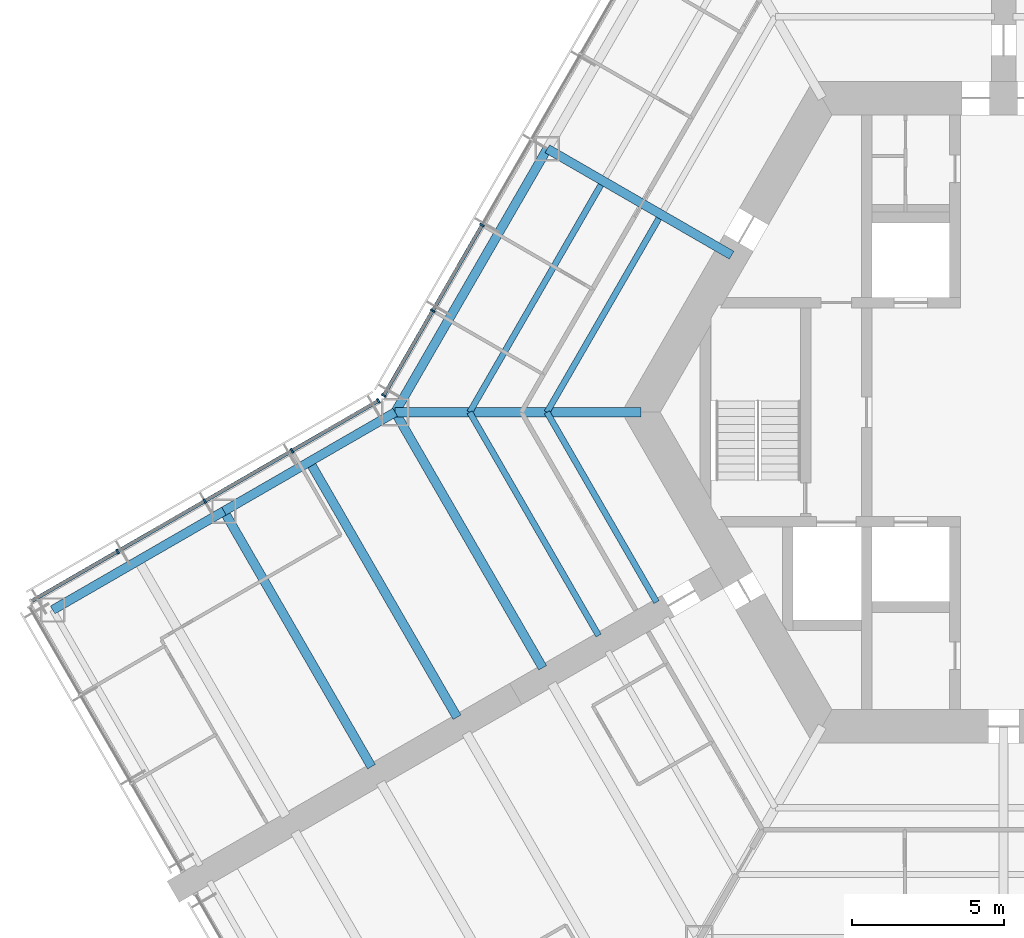
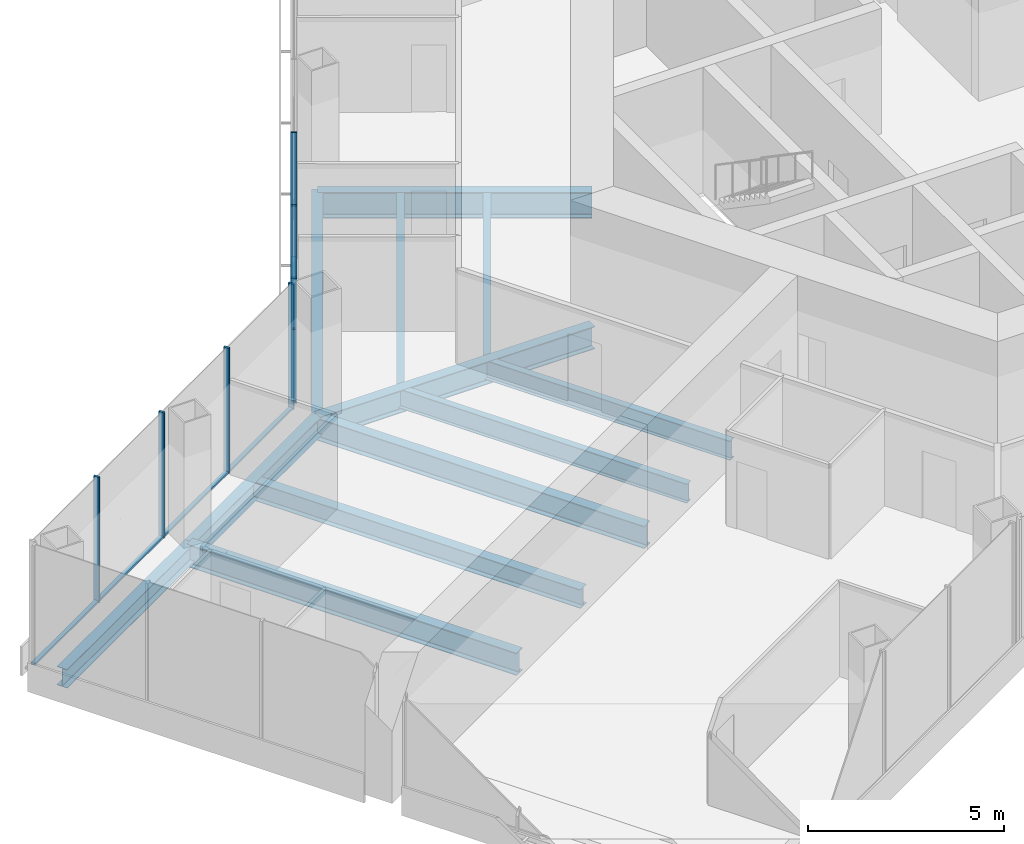
# One storey, part 4 of 19: 13 members, 12 beams, 2 elements without a shape of their own.
"""IFC4 building model written with IfcOpenShell, lengths in metres."""

from ifc_helpers import new_model, si_unit, direction, frame, origin, origin_2d, place, context, subcontext, project, spatial, rectangle, i_section, extrude, material, material_profile, profile_set, type_object, element, aggregate, save


model = new_model("IFC4")

# Units and contexts
model_context = context("Model", 3, precision=1e-05, world=origin(), true_north=direction((0.0, 1.0)))
body_context = subcontext(model_context, "Body", "Model", "MODEL_VIEW")
ifc_project = project(units=[si_unit("LENGTHUNIT", "METRE"), si_unit("AREAUNIT", "SQUARE_METRE"), si_unit("VOLUMEUNIT", "CUBIC_METRE"), si_unit("PLANEANGLEUNIT", "RADIAN"), si_unit("MASSUNIT", "GRAM", prefix="KILO")], contexts=[model_context])

# Site, building, storey
site_placement = place(None, origin())
site = spatial("IfcSite", under=ifc_project, at=site_placement, CompositionType="ELEMENT")
building_placement = place(site_placement, origin())
building = spatial("IfcBuilding", under=site, at=building_placement, Name="Kasaneha Research Tower", CompositionType="ELEMENT")
storey_placement = place(building_placement, frame((0.0, 0.0, 104.10009765625)))
storey = spatial("IfcBuildingStorey", under=building, at=storey_placement, Name="L26", CompositionType="ELEMENT", Elevation=104.10009765625)

# Beams
ifc_material_1 = material(Name="Steel SN490B", Category="steel")
ifc_material_profile_1 = material_profile(ifc_material_1, i_section(OverallWidth=0.199951171875, OverallDepth=0.60009765625, WebThickness=0.010986328125, FlangeThickness=0.01708984375, FilletRadius=0.012939453125, at=origin_2d()), Name="H-600x200x11x17")
ifc_profile_set_1 = profile_set([ifc_material_profile_1], Name="Steel SN490B")
beam_type_1 = type_object("IfcBeamType", Name="B1-3 secondary beam H-600x200x11x17", PredefinedType="JOIST", material=ifc_profile_set_1)
beam_1_placement = place(storey_placement, frame((-15.010986328125, 0.0, -0.4501953125), z_axis=(0.499994443168, 0.866028611999, 0.0), x_axis=(-0.866028611999, 0.499994443168, 0.0)))
element("IfcBeam", 1, at=beam_1_placement, inside=storey, type_object=beam_type_1, Name="Secondary beam RS150R1 L26", PredefinedType="JOIST", context=body_context, shape_type="SweptSolid", body=[
    extrude(i_section(OverallWidth=0.199951171875, OverallDepth=0.60009765625, WebThickness=0.010986328125, FlangeThickness=0.01708984375, FilletRadius=0.012939453125, at=origin_2d()), origin(), (0.0, 0.0, 1.0), 7.35546875),
])
beam_2_placement = place(storey_placement, frame((-17.551513671875, 0.0, -0.4501953125), z_axis=(0.5000050195, 0.866022505755, 0.0), x_axis=(-0.866022505755, 0.5000050195, 0.0)))
element("IfcBeam", 2, at=beam_2_placement, inside=storey, type_object=beam_type_1, Name="Secondary beam RS150R2 L26", PredefinedType="JOIST", context=body_context, shape_type="SweptSolid", body=[
    extrude(i_section(OverallWidth=0.199951171875, OverallDepth=0.60009765625, WebThickness=0.010986328125, FlangeThickness=0.01708984375, FilletRadius=0.012939453125, at=origin_2d()), origin(), (0.0, 0.0, 1.0), 8.6259765625),
])
beam_3_placement = place(storey_placement, frame((-15.010986328125, 0.0, -0.4501953125), z_axis=(0.499972735707, -0.866041144259, 0.0), x_axis=(0.866041144259, 0.499972735707, 0.0)))
element("IfcBeam", 3, at=beam_3_placement, inside=storey, type_object=beam_type_1, Name="Secondary beam RS210L1 L26", PredefinedType="JOIST", context=body_context, shape_type="SweptSolid", body=[
    extrude(i_section(OverallWidth=0.199951171875, OverallDepth=0.60009765625, WebThickness=0.010986328125, FlangeThickness=0.01708984375, FilletRadius=0.012939453125, at=origin_2d()), origin(), (0.0, 0.0, 1.0), 7.20556640625),
])
beam_4_placement = place(storey_placement, frame((-17.551513671875, 0.0, -0.4501953125), z_axis=(0.500020829043, -0.866013377797, 0.0), x_axis=(0.866013377797, 0.500020829043, 0.0)))
element("IfcBeam", 4, at=beam_4_placement, inside=storey, type_object=beam_type_1, Name="Secondary beam RS210L2 L26", PredefinedType="JOIST", context=body_context, shape_type="SweptSolid", body=[
    extrude(i_section(OverallWidth=0.199951171875, OverallDepth=0.60009765625, WebThickness=0.010986328125, FlangeThickness=0.01708984375, FilletRadius=0.012939453125, at=origin_2d()), origin(), (0.0, 0.0, 1.0), 8.475830078125),
])
ifc_material_2 = material(Name="Steel SN490B", Category="steel")
ifc_material_profile_2 = material_profile(ifc_material_2, i_section(OverallWidth=0.300048828125, OverallDepth=0.58203125, WebThickness=0.011962890625, FlangeThickness=0.01708984375, FilletRadius=0.012939453125, at=origin_2d()), Name="H-582x300x12x17")
ifc_profile_set_2 = profile_set([ifc_material_profile_2], Name="Steel SN490B")
beam_type_2 = type_object("IfcBeamType", Name="B2-3 secondary beam H-582x300x12x17", PredefinedType="JOIST", material=ifc_profile_set_2)
beam_5_placement = place(storey_placement, frame((-22.814697265625, -1.625, -0.441162109375), z_axis=(0.500010041276, -0.866019606374, 0.0), x_axis=(0.866019606374, 0.500010041276, 0.0)))
element("IfcBeam", 5, at=beam_5_placement, inside=storey, type_object=beam_type_2, Name="Secondary beam WBBP1 L26", PredefinedType="JOIST", context=body_context, shape_type="SweptSolid", body=[
    extrude(i_section(OverallWidth=0.300048828125, OverallDepth=0.58203125, WebThickness=0.011962890625, FlangeThickness=0.01708984375, FilletRadius=0.012939453125, at=origin_2d()), origin(), (0.0, 0.0, 1.0), 9.699951171875),
])

# Curtain wall, members
ifc_material_3 = material(Name="Glass and aluminium", Category="aluminium")
curtain_wall_type = type_object("IfcCurtainWallType", Name="Low-rise office curtain wall", PredefinedType="USERDEFINED", material=ifc_material_3)
curtain_wall_1_placement = place(storey_placement, origin())
curtain_wall_1 = element("IfcCurtainWall", 6, at=curtain_wall_1_placement, inside=storey, type_object=curtain_wall_type, Name="CW-O1 L26 run 12a", ObjectType="UNITISED CURTAIN WALL", PredefinedType="USERDEFINED")
ifc_material_4 = material(Name="Aluminium 6063-T6", Category="aluminium")
ifc_material_profile_3 = material_profile(ifc_material_4, rectangle(XDim=0.06005859375, YDim=0.159912109375, at=origin_2d()), Name="CW-O1 mullion 60x160")
ifc_profile_set_3 = profile_set([ifc_material_profile_3], Name="Aluminium 6063-T6")
member_type_1 = type_object("IfcMemberType", Name="CW-O1 mullion", PredefinedType="MULLION", material=ifc_profile_set_3)
member_1_placement = place(storey_placement, frame((-17.142822265625, 6.148681640625, 0.0), z_axis=(0.0, 0.0, 1.0), x_axis=(-0.49999996188, -0.866025425793, 0.0)))
member_1 = element("IfcMember", 7, at=member_1_placement, type_object=member_type_1, Name="CW-O1 mullion 5", PredefinedType="MULLION", context=body_context, shape_type="SweptSolid", body=[
    extrude(rectangle(XDim=0.06005859375, YDim=0.159912109375, at=origin_2d()), origin(), (0.0, 0.0, 1.0), 3.89990234375),
])
member_2_placement = place(storey_placement, frame((-18.76611328125, 3.33740234375, 0.0), z_axis=(0.0, 0.0, 1.0), x_axis=(-0.49999996188, -0.866025425793, 0.0)))
member_2 = element("IfcMember", 8, at=member_2_placement, type_object=member_type_1, Name="CW-O1 mullion 6", PredefinedType="MULLION", context=body_context, shape_type="SweptSolid", body=[
    extrude(rectangle(XDim=0.06005859375, YDim=0.159912109375, at=origin_2d()), origin(), (0.0, 0.0, 1.0), 3.89990234375),
])
member_3_placement = place(storey_placement, frame((-20.374267578125, 0.5517578125, 0.0), z_axis=(0.0, 0.0, 1.0), x_axis=(-0.49999996188, -0.866025425793, 0.0)))
member_3 = element("IfcMember", 9, at=member_3_placement, type_object=member_type_1, Name="CW-O1 mullion 7", PredefinedType="MULLION", context=body_context, shape_type="SweptSolid", body=[
    extrude(rectangle(XDim=0.06005859375, YDim=0.159912109375, at=origin_2d()), origin(), (0.0, 0.0, 1.0), 3.89990234375),
])

curtain_wall_2_placement = place(storey_placement, origin())
curtain_wall_2 = element("IfcCurtainWall", 10, at=curtain_wall_2_placement, inside=storey, type_object=curtain_wall_type, Name="CW-O1 L26 run 13a", ObjectType="UNITISED CURTAIN WALL", PredefinedType="USERDEFINED")
member_4_placement = place(storey_placement, frame((-20.5517578125, 0.374267578125, 0.0), z_axis=(0.0, 0.0, 1.0), x_axis=(-0.866025411464, -0.499999986699, 0.0)))
member_4 = element("IfcMember", 11, at=member_4_placement, type_object=member_type_1, Name="CW-O1 mullion 1", PredefinedType="MULLION", context=body_context, shape_type="SweptSolid", body=[
    extrude(rectangle(XDim=0.06005859375, YDim=0.159912109375, at=origin_2d()), origin(), (0.0, 0.0, 1.0), 3.89990234375),
])
member_5_placement = place(storey_placement, frame((-23.39208984375, -1.265625, 0.0), z_axis=(0.0, 0.0, 1.0), x_axis=(-0.866025411464, -0.499999986699, 0.0)))
member_5 = element("IfcMember", 12, at=member_5_placement, type_object=member_type_1, Name="CW-O1 mullion 2", PredefinedType="MULLION", context=body_context, shape_type="SweptSolid", body=[
    extrude(rectangle(XDim=0.06005859375, YDim=0.159912109375, at=origin_2d()), origin(), (0.0, 0.0, 1.0), 3.89990234375),
])
member_6_placement = place(storey_placement, frame((-26.258544921875, -2.920654296875, 0.0), z_axis=(0.0, 0.0, 1.0), x_axis=(-0.866025411464, -0.499999986699, 0.0)))
member_6 = element("IfcMember", 13, at=member_6_placement, type_object=member_type_1, Name="CW-O1 mullion 3", PredefinedType="MULLION", context=body_context, shape_type="SweptSolid", body=[
    extrude(rectangle(XDim=0.06005859375, YDim=0.159912109375, at=origin_2d()), origin(), (0.0, 0.0, 1.0), 3.89990234375),
])
member_7_placement = place(storey_placement, frame((-29.125, -4.575439453125, 0.0), z_axis=(0.0, 0.0, 1.0), x_axis=(-0.866025411464, -0.499999986699, 0.0)))
member_7 = element("IfcMember", 14, at=member_7_placement, type_object=member_type_1, Name="CW-O1 mullion 4", PredefinedType="MULLION", context=body_context, shape_type="SweptSolid", body=[
    extrude(rectangle(XDim=0.06005859375, YDim=0.159912109375, at=origin_2d()), origin(), (0.0, 0.0, 1.0), 3.89990234375),
])

# Member
ifc_material_5 = material(Name="Aluminium 6063-T6", Category="aluminium")
ifc_material_profile_4 = material_profile(ifc_material_5, rectangle(XDim=0.1201171875, YDim=0.06005859375, at=origin_2d()), Name="CW-O1 transom 120x60")
ifc_profile_set_4 = profile_set([ifc_material_profile_4], Name="Aluminium 6063-T6")
member_type_2 = type_object("IfcMemberType", Name="CW-O1 transom", PredefinedType="USERDEFINED", material=ifc_profile_set_4)
member_8_placement = place(storey_placement, frame((-17.15771484375, 6.122802734375, 0.02978515625), z_axis=(-0.500012062035, -0.866018439653, 0.0), x_axis=(0.866018439653, -0.500012062035, 0.0)))
member_8 = element("IfcMember", 15, at=member_8_placement, type_object=member_type_2, Name="CW-O1 transom 5", ObjectType="TRANSOM", PredefinedType="USERDEFINED", context=body_context, shape_type="SweptSolid", body=[
    extrude(rectangle(XDim=0.1201171875, YDim=0.06005859375, at=origin_2d()), origin(), (0.0, 0.0, 1.0), 3.1865234375),
])

member_9_placement = place(storey_placement, frame((-18.781005859375, 3.311279296875, 0.02978515625), z_axis=(-0.499999210213, -0.866025859768, 0.0), x_axis=(0.866025859768, -0.499999210213, 0.0)))
member_9 = element("IfcMember", 16, at=member_9_placement, type_object=member_type_2, Name="CW-O1 transom 6", ObjectType="TRANSOM", PredefinedType="USERDEFINED", context=body_context, shape_type="SweptSolid", body=[
    extrude(rectangle(XDim=0.1201171875, YDim=0.06005859375, at=origin_2d()), origin(), (0.0, 0.0, 1.0), 3.15625),
])

aggregate(curtain_wall_1, [member_1, member_2, member_3, member_8, member_9])

member_10_placement = place(storey_placement, frame((-20.577880859375, 0.359130859375, 0.02978515625), z_axis=(-0.866022692473, -0.500004696101, 0.0), x_axis=(0.500004696101, -0.866022692473, 0.0)))
member_10 = element("IfcMember", 17, at=member_10_placement, type_object=member_type_2, Name="CW-O1 transom 1", ObjectType="TRANSOM", PredefinedType="USERDEFINED", context=body_context, shape_type="SweptSolid", body=[
    extrude(rectangle(XDim=0.1201171875, YDim=0.06005859375, at=origin_2d()), origin(), (0.0, 0.0, 1.0), 3.2197265625),
])

member_11_placement = place(storey_placement, frame((-23.418212890625, -1.28076171875, 0.02978515625), z_axis=(-0.86604797581, -0.499960902066, 0.0), x_axis=(0.499960902066, -0.86604797581, 0.0)))
member_11 = element("IfcMember", 18, at=member_11_placement, type_object=member_type_2, Name="CW-O1 transom 2", ObjectType="TRANSOM", PredefinedType="USERDEFINED", context=body_context, shape_type="SweptSolid", body=[
    extrude(rectangle(XDim=0.1201171875, YDim=0.06005859375, at=origin_2d()), origin(), (0.0, 0.0, 1.0), 3.249755859375),
])

member_12_placement = place(storey_placement, frame((-26.28466796875, -2.935546875, 0.02978515625), z_axis=(-0.86599666273, -0.500049777664, 0.0), x_axis=(0.500049777664, -0.86599666273, 0.0)))
member_12 = element("IfcMember", 19, at=member_12_placement, type_object=member_type_2, Name="CW-O1 transom 3", ObjectType="TRANSOM", PredefinedType="USERDEFINED", context=body_context, shape_type="SweptSolid", body=[
    extrude(rectangle(XDim=0.1201171875, YDim=0.06005859375, at=origin_2d()), origin(), (0.0, 0.0, 1.0), 3.249755859375),
])

member_13_placement = place(storey_placement, frame((-29.15087890625, -4.590576171875, 0.02978515625), z_axis=(-0.866041647767, -0.499971863542, 0.0), x_axis=(0.499971863542, -0.866041647767, 0.0)))
member_13 = element("IfcMember", 20, at=member_13_placement, type_object=member_type_2, Name="CW-O1 transom 4", ObjectType="TRANSOM", PredefinedType="USERDEFINED", context=body_context, shape_type="SweptSolid", body=[
    extrude(rectangle(XDim=0.1201171875, YDim=0.06005859375, at=origin_2d()), origin(), (0.0, 0.0, 1.0), 3.219970703125),
])

aggregate(curtain_wall_2, [member_4, member_5, member_6, member_7, member_10, member_11, member_12, member_13])

# Beams
ifc_material_6 = material(Name="Steel SN490B", Category="steel")
ifc_material_profile_5 = material_profile(ifc_material_6, i_section(OverallWidth=0.300048828125, OverallDepth=0.699951171875, WebThickness=0.012939453125, FlangeThickness=0.02392578125, FilletRadius=0.01806640625, at=origin_2d()), Name="H-700x300x13x24")
ifc_profile_set_5 = profile_set([ifc_material_profile_5], Name="Steel SN490B")
beam_type_3 = type_object("IfcBeamType", Name="G1-3 radial girder H-700x300x13x24", PredefinedType="BEAM", material=ifc_profile_set_5)
beam_6_placement = place(storey_placement, frame((-11.92236328125, 0.0, -0.5), z_axis=(-1.0, 0.0, 0.0), x_axis=(0.0, -1.0, 0.0)))
element("IfcBeam", 21, at=beam_6_placement, inside=storey, type_object=beam_type_3, Name="Radial girder RV180 L26", PredefinedType="BEAM", context=body_context, shape_type="SweptSolid", body=[
    extrude(i_section(OverallWidth=0.300048828125, OverallDepth=0.699951171875, WebThickness=0.012939453125, FlangeThickness=0.02392578125, FilletRadius=0.01806640625, at=origin_2d()), origin(), (0.0, 0.0, 1.0), 8.07763671875),
])
ifc_material_7 = material(Name="Steel SN490B", Category="steel")
ifc_material_profile_6 = material_profile(ifc_material_7, i_section(OverallWidth=0.300048828125, OverallDepth=0.800048828125, WebThickness=0.013916015625, FlangeThickness=0.02587890625, FilletRadius=0.01806640625, at=origin_2d()), Name="H-800x300x14x26")
ifc_profile_set_6 = profile_set([ifc_material_profile_6], Name="Steel SN490B")
beam_type_4 = type_object("IfcBeamType", Name="G2-3 radial girder H-800x300x14x26", PredefinedType="BEAM", material=ifc_profile_set_6)
beam_7_placement = place(storey_placement, frame((-8.941650390625, 5.16259765625, -0.550048828125), z_axis=(-0.866039713508, 0.499975214012, 0.0), x_axis=(-0.499975214012, -0.866039713508, 0.0)))
element("IfcBeam", 22, at=beam_7_placement, inside=storey, type_object=beam_type_4, Name="Radial girder RM150 L26", PredefinedType="BEAM", context=body_context, shape_type="SweptSolid", body=[
    extrude(i_section(OverallWidth=0.300048828125, OverallDepth=0.800048828125, WebThickness=0.013916015625, FlangeThickness=0.02587890625, FilletRadius=0.01806640625, at=origin_2d()), origin(), (0.0, 0.0, 1.0), 6.995361328125),
])
ifc_material_8 = material(Name="Steel SN490B", Category="steel")
ifc_material_profile_7 = material_profile(ifc_material_8, i_section(OverallWidth=0.300048828125, OverallDepth=0.69189453125, WebThickness=0.012939453125, FlangeThickness=0.02001953125, FilletRadius=0.01806640625, at=origin_2d()), Name="H-692x300x13x20")
ifc_profile_set_7 = profile_set([ifc_material_profile_7], Name="Steel SN490B")
beam_type_5 = type_object("IfcBeamType", Name="G3-3 plate edge girder H-692x300x13x20", PredefinedType="BEAM", material=ifc_profile_set_7)
beam_8_placement = place(storey_placement, frame((-20.0, 0.0, -0.49609375), z_axis=(0.500010041276, -0.866019606374, 0.0), x_axis=(0.866019606374, 0.500010041276, 0.0)))
element("IfcBeam", 23, at=beam_8_placement, inside=storey, type_object=beam_type_5, Name="Plate edge girder PEBP L26", PredefinedType="BEAM", context=body_context, shape_type="SweptSolid", body=[
    extrude(i_section(OverallWidth=0.300048828125, OverallDepth=0.69189453125, WebThickness=0.012939453125, FlangeThickness=0.02001953125, FilletRadius=0.01806640625, at=origin_2d()), origin(), (0.0, 0.0, 1.0), 9.699951171875),
])
ifc_material_9 = material(Name="Steel SN490B", Category="steel")
ifc_material_profile_8 = material_profile(ifc_material_9, i_section(OverallWidth=0.300048828125, OverallDepth=0.699951171875, WebThickness=0.012939453125, FlangeThickness=0.02392578125, FilletRadius=0.01806640625, at=origin_2d()), Name="H-700x300x13x24")
ifc_profile_set_8 = profile_set([ifc_material_profile_8], Name="Steel SN490B")
beam_type_6 = type_object("IfcBeamType", Name="G4-3 wing girder H-700x300x13x24", PredefinedType="BEAM", material=ifc_profile_set_8)
beam_9_placement = place(storey_placement, frame((-25.629150390625, -3.25, -0.5), z_axis=(0.500010041276, -0.866019606374, 0.0), x_axis=(0.866019606374, 0.500010041276, 0.0)))
element("IfcBeam", 24, at=beam_9_placement, inside=storey, type_object=beam_type_6, Name="Wing girder WGBP L26", PredefinedType="BEAM", context=body_context, shape_type="SweptSolid", body=[
    extrude(i_section(OverallWidth=0.300048828125, OverallDepth=0.699951171875, WebThickness=0.012939453125, FlangeThickness=0.02392578125, FilletRadius=0.01806640625, at=origin_2d()), origin(), (0.0, 0.0, 1.0), 9.699951171875),
])
ifc_material_10 = material(Name="Steel SN490B", Category="steel")
ifc_material_profile_9 = material_profile(ifc_material_10, i_section(OverallWidth=0.300048828125, OverallDepth=0.69189453125, WebThickness=0.012939453125, FlangeThickness=0.02001953125, FilletRadius=0.01806640625, at=origin_2d()), Name="H-692x300x13x20")
ifc_profile_set_9 = profile_set([ifc_material_profile_9], Name="Steel SN490B")
beam_type_7 = type_object("IfcBeamType", Name="SB1-3 spandrel beam H-692x300x13x20", PredefinedType="SPANDREL", material=ifc_profile_set_9)
beam_10_placement = place(storey_placement, frame((-20.0, 0.0, -0.49609375), z_axis=(0.500004234368, 0.866022959057, 0.0), x_axis=(-0.866022959057, 0.500004234368, 0.0)))
element("IfcBeam", 25, at=beam_10_placement, inside=storey, type_object=beam_type_7, Name="Spandrel beam SR150R L26", PredefinedType="SPANDREL", context=body_context, shape_type="SweptSolid", body=[
    extrude(i_section(OverallWidth=0.300048828125, OverallDepth=0.69189453125, WebThickness=0.012939453125, FlangeThickness=0.02001953125, FilletRadius=0.01806640625, at=origin_2d()), origin(), (0.0, 0.0, 1.0), 10.0),
])
ifc_material_11 = material(Name="Steel SN490B", Category="steel")
ifc_material_profile_10 = material_profile(ifc_material_11, i_section(OverallWidth=0.300048828125, OverallDepth=0.58203125, WebThickness=0.011962890625, FlangeThickness=0.01708984375, FilletRadius=0.012939453125, at=origin_2d()), Name="H-582x300x12x17")
ifc_profile_set_10 = profile_set([ifc_material_profile_10], Name="Steel SN490B")
beam_type_8 = type_object("IfcBeamType", Name="SB2-3 spandrel beam H-582x300x12x17", PredefinedType="SPANDREL", material=ifc_profile_set_10)
for number, where, z_axis, x_axis, name in (
    (26, (-20.0, 0.0, -0.441162109375), (-0.866024837091, -0.50000098154, 0.0), (0.50000098154, -0.866024837091, 0.0), "Spandrel beam WSBP1 L26"),
    (27, (-25.629150390625, -3.25, -0.441162109375), (-0.866024837091, -0.50000098154, 0.0), (0.50000098154, -0.866024837091, 0.0), "Spandrel beam WSBP2 L26"),
):
    element("IfcBeam", number, at=place(storey_placement, frame(where, z_axis=z_axis, x_axis=x_axis)), inside=storey, type_object=beam_type_8, Name=name, PredefinedType="SPANDREL", context=body_context, shape_type="SweptSolid", body=[
        extrude(i_section(OverallWidth=0.300048828125, OverallDepth=0.58203125, WebThickness=0.011962890625, FlangeThickness=0.01708984375, FilletRadius=0.012939453125, at=origin_2d()), origin(), (0.0, 0.0, 1.0), 6.5),
    ])

save(model, "model.ifc")
